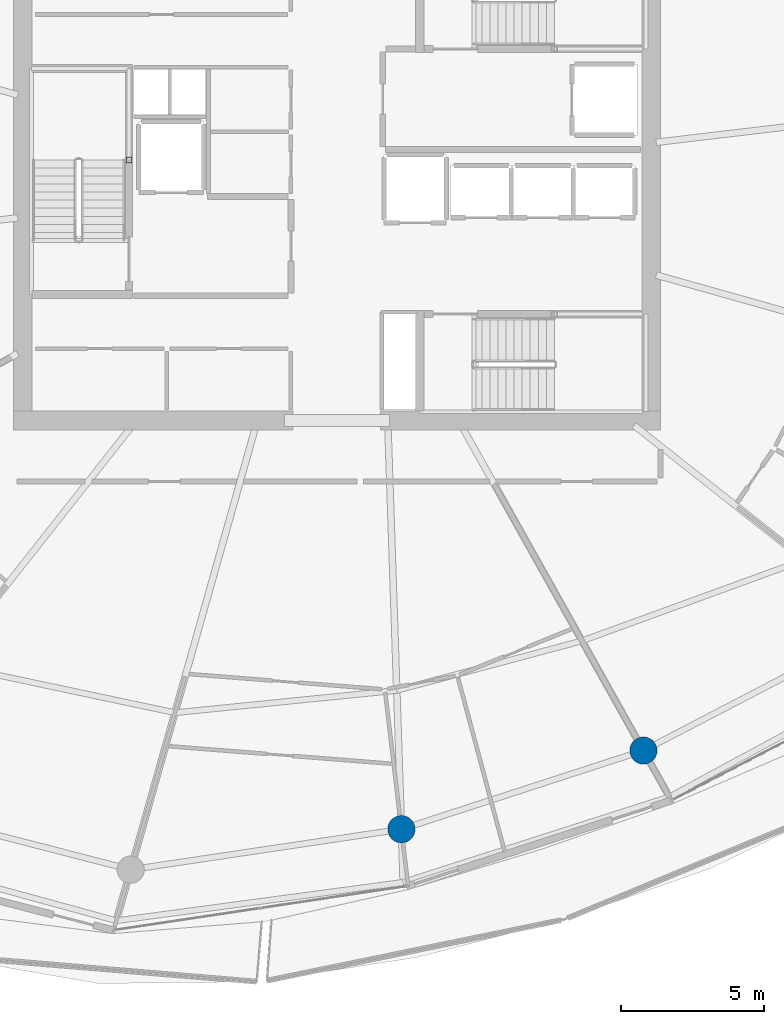
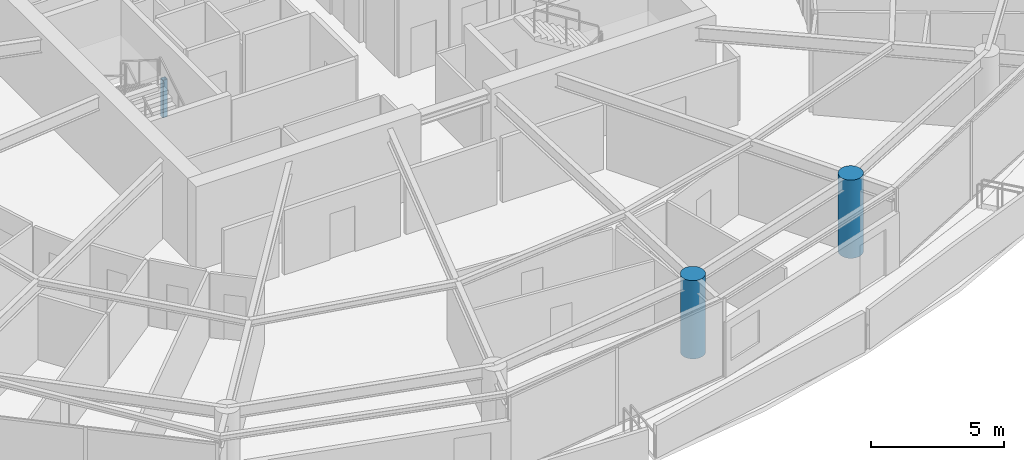
# One storey, part 2 of 31: 3 columns.
"""IFC4 building model written with IfcOpenShell, lengths in metres."""

from ifc_helpers import new_model, si_unit, direction, frame, origin, origin_2d, place, context, subcontext, project, spatial, hollow_rectangle, circle, extrude, material, material_profile, profile_set, type_object, element, save


model = new_model("IFC4")

# Units and contexts
model_context = context("Model", 3, precision=1e-05, world=origin(), true_north=direction((0.0, 1.0)))
body_context = subcontext(model_context, "Body", "Model", "MODEL_VIEW")
ifc_project = project(units=[si_unit("LENGTHUNIT", "METRE"), si_unit("AREAUNIT", "SQUARE_METRE"), si_unit("VOLUMEUNIT", "CUBIC_METRE"), si_unit("PLANEANGLEUNIT", "RADIAN"), si_unit("MASSUNIT", "GRAM", prefix="KILO")], contexts=[model_context])

# Site, building, storey
site_placement = place(None, origin())
site = spatial("IfcSite", under=ifc_project, at=site_placement, CompositionType="ELEMENT")
building_placement = place(site_placement, origin())
building = spatial("IfcBuilding", under=site, at=building_placement, Name="Kazma Halo Residences", CompositionType="ELEMENT")
storey_placement = place(building_placement, frame((0.0, 0.0, 259.800048828125)))
storey = spatial("IfcBuildingStorey", under=building, at=storey_placement, Name="L65", CompositionType="ELEMENT", Elevation=259.800048828125)

# Columns
ifc_material_1 = material(Name="Steel S355", Category="steel")
ifc_material_profile_1 = material_profile(ifc_material_1, hollow_rectangle(XDim=0.199951171875, YDim=0.199951171875, WallThickness=0.010009765625, InnerFilletRadius=0.010009765625, OuterFilletRadius=0.02001953125, at=origin_2d()), Name="SHS200x200x10")
ifc_profile_set_1 = profile_set([ifc_material_profile_1], Name="Steel S355")
column_type_1 = type_object("IfcColumnType", Name="COL-LP-SHS200", PredefinedType="COLUMN", material=ifc_profile_set_1)
column_placement = place(storey_placement, frame((41.179931640625, 42.75, 0.0), z_axis=(0.0, 0.0, 1.0), x_axis=(1.0, 0.0, 0.0)))
element("IfcColumn", 1, at=column_placement, inside=storey, type_object=column_type_1, Name="L65 ST-01 landing pilaster 1", PredefinedType="COLUMN", context=body_context, shape_type="SweptSolid", body=[
    extrude(hollow_rectangle(XDim=0.199951171875, YDim=0.199951171875, WallThickness=0.010009765625, InnerFilletRadius=0.010009765625, OuterFilletRadius=0.02001953125, at=origin_2d()), origin(), (0.0, 0.0, 1.0), 1.719970703125),
])
ifc_material_2 = material(Name="Concrete C60/75", Category="concrete")
ifc_material_profile_2 = material_profile(ifc_material_2, circle(Radius=0.47509765625, at=origin_2d()), Name="CIRC950")
ifc_profile_set_2 = profile_set([ifc_material_profile_2], Name="Concrete C60/75")
column_type_2 = type_object("IfcColumnType", Name="COL-PERIM-950", PredefinedType="COLUMN", material=ifc_profile_set_2)
for number, where, z_axis, x_axis, name in (
    (2, (50.67138671875, 19.42919921875, 0.0), (0.0, 0.0, 1.0), (1.0, 0.0, 0.0), "L65 perimeter ring column P12"),
    (3, (59.10546875, 22.169677734375, 0.0), (0.0, 0.0, 1.0), (1.0, 0.0, 0.0), "L65 perimeter ring column P13"),
):
    element("IfcColumn", number, at=place(storey_placement, frame(where, z_axis=z_axis, x_axis=x_axis)), inside=storey, type_object=column_type_2, Name=name, PredefinedType="COLUMN", context=body_context, shape_type="SweptSolid", body=[
        extrude(circle(Radius=0.47509765625, at=origin_2d()), origin(), (0.0, 0.0, 1.0), 3.58984375),
    ])

save(model, "model.ifc")
